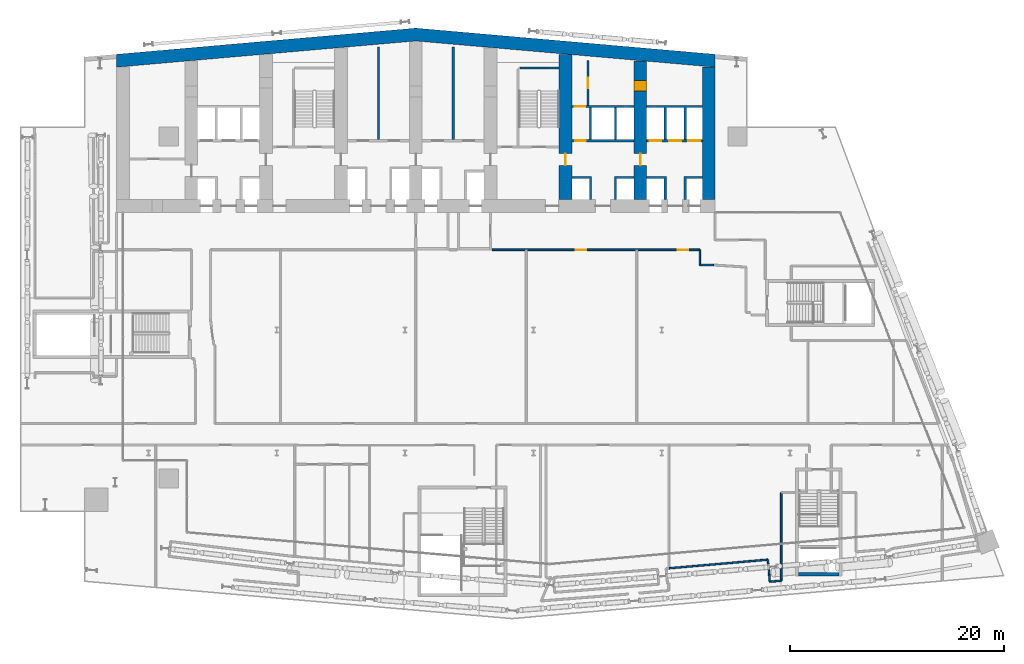
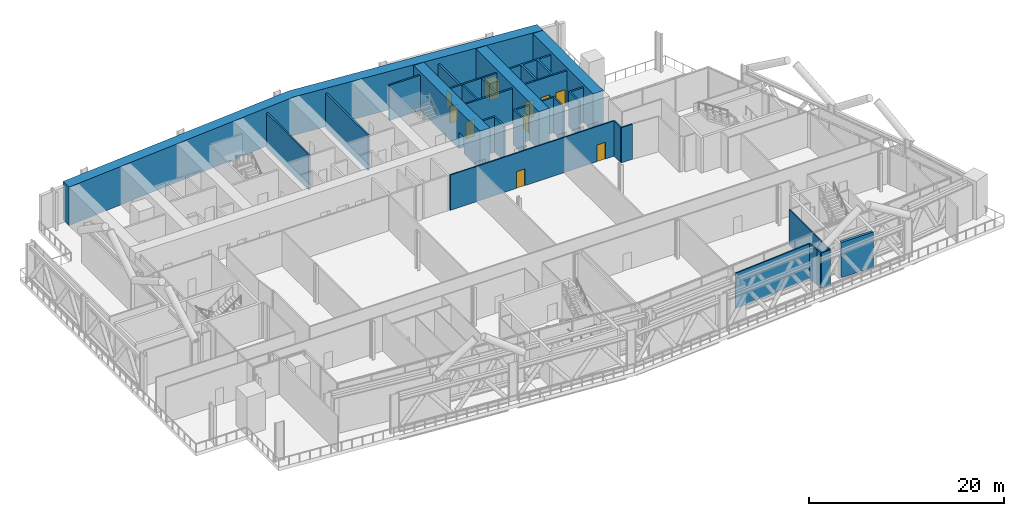
# One storey, part 21 of 39: 27 walls, 11 doors, 11 openings.
"""IFC4 building model written with IfcOpenShell, lengths in metres."""

from ifc_helpers import new_model, si_unit, direction, frame, frame_2d, origin, place, context, subcontext, project, spatial, polyline, rectangle, outline, extrude, material, layer, layer_set, type_object, element, fill, save


model = new_model("IFC4")

# Units and contexts
model_context = context("Model", 3, precision=1e-05, world=origin(), true_north=direction((0.0, 1.0)))
body_context = subcontext(model_context, "Body", "Model", "MODEL_VIEW")
ifc_project = project(units=[si_unit("LENGTHUNIT", "METRE"), si_unit("AREAUNIT", "SQUARE_METRE"), si_unit("VOLUMEUNIT", "CUBIC_METRE"), si_unit("PLANEANGLEUNIT", "RADIAN"), si_unit("MASSUNIT", "GRAM", prefix="KILO")], contexts=[model_context])

# Site, building, storey
site_placement = place(None, origin())
site = spatial("IfcSite", under=ifc_project, at=site_placement, CompositionType="ELEMENT")
building_placement = place(site_placement, origin())
building = spatial("IfcBuilding", under=site, at=building_placement, Name="Wharfspan Tower", CompositionType="ELEMENT")
storey_placement = place(building_placement, frame((0.0, 0.0, 91.899902)))
storey = spatial("IfcBuildingStorey", under=building, at=storey_placement, Name="L20", CompositionType="ELEMENT", Elevation=91.899902)

# Walls
ifc_material_1 = material(Name="Calcium silicate masonry", Category="masonry")
ifc_layer_1 = layer(ifc_material_1, 0.199951)
ifc_layer_set_1 = layer_set([ifc_layer_1], Name="Calcium silicate masonry")
wall_type_1 = type_object("IfcWallType", Name="Core room wall 200", PredefinedType="PARTITIONING", material=ifc_layer_set_1)
for number, where, z_axis, x_axis, name in (
    (1, (33.5, 40.800049, 0.0), (0.0, 0.0, 1.0), (0.0, 1.0, 0.0), "sw:L20:RP3.1"),
    (2, (40.5, 40.800049, 0.0), (0.0, 0.0, 1.0), (0.0, 1.0, 0.0), "sw:L20:RP4.1"),
):
    element("IfcWall", number, at=place(storey_placement, frame(where, z_axis=z_axis, x_axis=x_axis)), inside=storey, type_object=wall_type_1, Name=name, PredefinedType="PARTITIONING", context=body_context, shape_type="SweptSolid", body=[
        extrude(rectangle(XDim=8.652588, YDim=0.199951, at=frame_2d((4.326172, 0.0))), origin(), (0.0, 0.0, 1.0), 4.400146),
    ])

# Wall, opening, door
wall_1_placement = place(storey_placement, frame((53.100098, 44.0, 0.0), z_axis=(0.0, 0.0, 1.0), x_axis=(0.0, 1.0, 0.0)))
wall_1 = element("IfcWall", 3, at=wall_1_placement, inside=storey, type_object=wall_type_1, Name="sw:L20:RP6.1", PredefinedType="PARTITIONING", context=body_context, shape_type="SweptSolid", body=[
    extrude(rectangle(XDim=4.227783, YDim=0.199951, at=frame_2d((2.11377, 0.0))), origin(), (0.0, 0.0, 1.0), 4.400146),
])
opening_1_placement = place(wall_1_placement, frame((1.614014, 0.0, 0.0)))
opening_1 = element("IfcOpeningElement", 4, at=opening_1_placement, cuts=wall_1, Name="Opening CD20.6P1", PredefinedType="OPENING", context=body_context, shape_type="SweptSolid", body=[
    extrude(rectangle(XDim=1.0, YDim=2.100098, at=frame_2d((0.5, 1.050049))), frame((0.0, 0.109863, 0.0), z_axis=(0.0, -1.0, 0.0), x_axis=(1.0, 0.0, 0.0)), (0.0, 0.0, 1.0), 0.219971),
])
ifc_material_2 = material(Name="Steel door leaf", Category="steel")
door_type_1 = type_object("IfcDoorType", Name="Core room door 1000x2100", OperationType="SINGLE_SWING_LEFT", PredefinedType="DOOR", material=ifc_material_2)
door_1_placement = place(opening_1_placement, origin())
door_1 = element("IfcDoor", 5, at=door_1_placement, inside=storey, type_object=door_type_1, Name="d:L20:6:rp1", OperationType="SINGLE_SWING_LEFT", OverallHeight=2.100098, OverallWidth=1.0, PredefinedType="DOOR", context=body_context, shape_type="SweptSolid", body=[
    extrude(rectangle(XDim=1.0, YDim=2.100098, at=frame_2d((0.5, 1.050049))), frame((0.0, 0.024902, 0.0), z_axis=(0.0, -1.0, 0.0), x_axis=(1.0, 0.0, 0.0)), (0.0, 0.0, 1.0), 0.050049),
])
fill(opening_1, door_1)

# Wall
ifc_material_3 = material(Name="Concrete C70/85", Category="concrete")
ifc_layer_2 = layer(ifc_material_3, 1.199951)
ifc_layer_set_2 = layer_set([ifc_layer_2], Name="Concrete C70/85")
wall_type_2 = type_object("IfcWallType", Name="Core wall 1200 C70/85", PredefinedType="SHEAR", material=ifc_layer_set_2)
wall_2_placement = place(storey_placement, origin())
element("IfcWall", 6, at=wall_2_placement, inside=storey, type_object=wall_type_2, Name="Core rear wall L20", PredefinedType="SHEAR", context=body_context, shape_type="SweptSolid", body=[
    extrude(outline(polyline([(9.0, 47.582764), (37.0, 50.032471), (65.0, 47.582764), (65.0, 48.787354), (37.0, 51.237061), (9.0, 48.787354), (9.0, 47.582764)])), origin(), (0.0, 0.0, 1.0), 4.800049),
])

# Wall, opening, door
wall_3_placement = place(storey_placement, frame((51.0, 35.199951, 0.0), z_axis=(0.0, 0.0, 1.0), x_axis=(0.0, 1.0, 0.0)))
wall_3 = element("IfcWall", 7, at=wall_3_placement, inside=storey, type_object=wall_type_2, Name="Core cross wall X6 L20", PredefinedType="SHEAR", context=body_context, shape_type="SweptSolid", body=[
    extrude(rectangle(XDim=13.555176, YDim=1.199951, at=frame_2d((6.777588, 0.0))), origin(), (0.0, 0.0, 1.0), 4.800049),
])
opening_2_placement = place(wall_3_placement, frame((3.199951, 0.0, 0.0)))
opening_2 = element("IfcOpeningElement", 8, at=opening_2_placement, cuts=wall_3, Name="Opening CC20.6", PredefinedType="OPENING", context=body_context, shape_type="SweptSolid", body=[
    extrude(rectangle(XDim=1.100098, YDim=2.100098, at=frame_2d((0.550049, 1.050049))), frame((0.0, 0.609863, 0.0), z_axis=(0.0, -1.0, 0.0), x_axis=(1.0, 0.0, 0.0)), (0.0, 0.0, 1.0), 1.219971),
])
door_type_2 = type_object("IfcDoorType", Name="Core corridor door 1100x2100", OperationType="SINGLE_SWING_LEFT", PredefinedType="DOOR", material=ifc_material_2)
door_2_placement = place(opening_2_placement, origin())
door_2 = element("IfcDoor", 9, at=door_2_placement, inside=storey, type_object=door_type_2, Name="xd:L20:6", OperationType="SINGLE_SWING_RIGHT", OverallHeight=2.100098, OverallWidth=1.100098, PredefinedType="DOOR", context=body_context, shape_type="SweptSolid", body=[
    extrude(rectangle(XDim=1.100098, YDim=2.100098, at=frame_2d((0.550049, 1.050049))), frame((0.0, 0.024902, 0.0), z_axis=(0.0, -1.0, 0.0), x_axis=(1.0, 0.0, 0.0)), (0.0, 0.0, 1.0), 0.050049),
])
fill(opening_2, door_2)

# Wall, openings, doors
wall_4_placement = place(storey_placement, frame((58.0, 35.199951, 0.0), z_axis=(0.0, 0.0, 1.0), x_axis=(0.0, 1.0, 0.0)))
wall_4 = element("IfcWall", 10, at=wall_4_placement, inside=storey, type_object=wall_type_2, Name="Core cross wall X7 L20", PredefinedType="SHEAR", context=body_context, shape_type="SweptSolid", body=[
    extrude(rectangle(XDim=12.942871, YDim=1.199951, at=frame_2d((6.471436, 0.0))), origin(), (0.0, 0.0, 1.0), 4.800049),
])
opening_3_placement = place(wall_4_placement, frame((10.133789, 0.0, 0.0)))
opening_3 = element("IfcOpeningElement", 11, at=opening_3_placement, cuts=wall_4, Name="Opening CD20.7X", PredefinedType="OPENING", context=body_context, shape_type="SweptSolid", body=[
    extrude(rectangle(XDim=1.0, YDim=2.100098, at=frame_2d((0.5, 1.050049))), frame((0.0, 0.609863, 0.0), z_axis=(0.0, -1.0, 0.0), x_axis=(1.0, 0.0, 0.0)), (0.0, 0.0, 1.0), 1.219971),
])
opening_4_placement = place(wall_4_placement, frame((3.199951, 0.0, 0.0)))
opening_4 = element("IfcOpeningElement", 12, at=opening_4_placement, cuts=wall_4, Name="Opening CC20.7", PredefinedType="OPENING", context=body_context, shape_type="SweptSolid", body=[
    extrude(rectangle(XDim=1.100098, YDim=2.100098, at=frame_2d((0.550049, 1.050049))), frame((0.0, 0.609863, 0.0), z_axis=(0.0, -1.0, 0.0), x_axis=(1.0, 0.0, 0.0)), (0.0, 0.0, 1.0), 1.219971),
])
door_3_placement = place(opening_4_placement, origin())
door_3 = element("IfcDoor", 13, at=door_3_placement, inside=storey, type_object=door_type_2, Name="xd:L20:7", OperationType="SINGLE_SWING_LEFT", OverallHeight=2.100098, OverallWidth=1.100098, PredefinedType="DOOR", context=body_context, shape_type="SweptSolid", body=[
    extrude(rectangle(XDim=1.100098, YDim=2.100098, at=frame_2d((0.550049, 1.050049))), frame((0.0, 0.024902, 0.0), z_axis=(0.0, -1.0, 0.0), x_axis=(1.0, 0.0, 0.0)), (0.0, 0.0, 1.0), 0.050049),
])
fill(opening_4, door_3)
door_4_placement = place(opening_3_placement, origin())
door_4 = element("IfcDoor", 14, at=door_4_placement, inside=storey, type_object=door_type_1, Name="d:L20:7:sx", OperationType="SINGLE_SWING_LEFT", OverallHeight=2.100098, OverallWidth=1.0, PredefinedType="DOOR", context=body_context, shape_type="SweptSolid", body=[
    extrude(rectangle(XDim=1.0, YDim=2.100098, at=frame_2d((0.5, 1.050049))), frame((0.0, 0.599609, 0.0), z_axis=(0.0, -1.0, 0.0), x_axis=(1.0, 0.0, 0.0)), (0.0, 0.0, 1.0), 1.199463),
])
fill(opening_3, door_4)

# Wall
wall_5_placement = place(storey_placement, frame((64.399902, 35.199951, 0.0), z_axis=(0.0, 0.0, 1.0), x_axis=(0.0, 1.0, 0.0)))
element("IfcWall", 15, at=wall_5_placement, inside=storey, type_object=wall_type_2, Name="Core cross wall EW1 L20", PredefinedType="SHEAR", context=body_context, shape_type="SweptSolid", body=[
    extrude(rectangle(XDim=12.382812, YDim=1.199951, at=frame_2d((6.191406, 0.0))), origin(), (0.0, 0.0, 1.0), 4.800049),
])

# Wall, opening, door
ifc_material_4 = material(Name="Concrete C30/37", Category="concrete")
ifc_layer_3 = layer(ifc_material_4, 0.199951)
ifc_layer_set_3 = layer_set([ifc_layer_3], Name="Concrete C30/37")
wall_type_3 = type_object("IfcWallType", Name="Lift shaft wall 200", PredefinedType="PARTITIONING", material=ifc_layer_set_3)
wall_6_placement = place(storey_placement, frame((51.600098, 40.699951, 0.0), z_axis=(0.0, 0.0, 1.0), x_axis=(1.0, 0.0, 0.0)))
wall_6 = element("IfcWall", 16, at=wall_6_placement, inside=storey, type_object=wall_type_3, Name="sw:L20:RF6", PredefinedType="PARTITIONING", context=body_context, shape_type="SweptSolid", body=[
    extrude(rectangle(XDim=5.799805, YDim=0.199951, at=frame_2d((2.899902, 0.0))), origin(), (0.0, 0.0, 1.0), 4.400146),
])
opening_5_placement = place(wall_6_placement, frame((0.31665, 0.0, 0.0)))
opening_5 = element("IfcOpeningElement", 17, at=opening_5_placement, cuts=wall_6, Name="Opening CD20.6R1", PredefinedType="OPENING", context=body_context, shape_type="SweptSolid", body=[
    extrude(rectangle(XDim=1.0, YDim=2.100098, at=frame_2d((0.5, 1.050049))), frame((0.0, 0.109863, 0.0), z_axis=(0.0, -1.0, 0.0), x_axis=(1.0, 0.0, 0.0)), (0.0, 0.0, 1.0), 0.219971),
])
door_5_placement = place(opening_5_placement, origin())
door_5 = element("IfcDoor", 18, at=door_5_placement, inside=storey, type_object=door_type_1, Name="d:L20:6:rd6.1", OperationType="SINGLE_SWING_RIGHT", OverallHeight=2.100098, OverallWidth=1.0, PredefinedType="DOOR", context=body_context, shape_type="SweptSolid", body=[
    extrude(rectangle(XDim=1.0, YDim=2.100098, at=frame_2d((0.5, 1.050049))), frame((0.0, 0.024902, 0.0), z_axis=(0.0, -1.0, 0.0), x_axis=(1.0, 0.0, 0.0)), (0.0, 0.0, 1.0), 0.050049),
])
fill(opening_5, door_5)

wall_7_placement = place(storey_placement, frame((51.600098, 43.899902, 0.0), z_axis=(0.0, 0.0, 1.0), x_axis=(1.0, 0.0, 0.0)))
wall_7 = element("IfcWall", 19, at=wall_7_placement, inside=storey, type_object=wall_type_3, Name="sw:L20:RR6", PredefinedType="PARTITIONING", context=body_context, shape_type="SweptSolid", body=[
    extrude(rectangle(XDim=5.799805, YDim=0.199951, at=frame_2d((2.899902, 0.0))), origin(), (0.0, 0.0, 1.0), 4.400146),
])
opening_6_placement = place(wall_7_placement, frame((0.25, 0.0, 0.0)))
opening_6 = element("IfcOpeningElement", 20, at=opening_6_placement, cuts=wall_7, Name="Opening CD20.6S1", PredefinedType="OPENING", context=body_context, shape_type="SweptSolid", body=[
    extrude(rectangle(XDim=1.0, YDim=2.100098, at=frame_2d((0.5, 1.050049))), frame((0.0, 0.109863, 0.0), z_axis=(0.0, -1.0, 0.0), x_axis=(1.0, 0.0, 0.0)), (0.0, 0.0, 1.0), 0.219971),
])
door_6_placement = place(opening_6_placement, origin())
door_6 = element("IfcDoor", 21, at=door_6_placement, inside=storey, type_object=door_type_1, Name="d:L20:6:rs6.1", OperationType="SINGLE_SWING_LEFT", OverallHeight=2.100098, OverallWidth=1.0, PredefinedType="DOOR", context=body_context, shape_type="SweptSolid", body=[
    extrude(rectangle(XDim=1.0, YDim=2.100098, at=frame_2d((0.5, 1.050049))), frame((0.0, 0.024902, 0.0), z_axis=(0.0, -1.0, 0.0), x_axis=(1.0, 0.0, 0.0)), (0.0, 0.0, 1.0), 0.050049),
])
fill(opening_6, door_6)

# Walls
wall_8_placement = place(storey_placement, origin())
element("IfcWall", 22, at=wall_8_placement, inside=storey, type_object=wall_type_3, Name="sw:L20:FM6.0", PredefinedType="PARTITIONING", context=body_context, shape_type="SweptSolid", body=[
    extrude(outline(polyline([(53.233398, 37.149902), (51.600098, 37.149902), (51.600098, 37.350098), (53.233398, 37.350098), (53.43335, 37.350098), (53.43335, 35.199951), (53.233398, 35.199951), (53.233398, 37.149902)])), origin(), (0.0, 0.0, 1.0), 4.400146),
])
wall_9_placement = place(storey_placement, origin())
element("IfcWall", 23, at=wall_9_placement, inside=storey, type_object=wall_type_3, Name="sw:L20:FM6.1", PredefinedType="PARTITIONING", context=body_context, shape_type="SweptSolid", body=[
    extrude(outline(polyline([(55.56665, 37.350098), (55.766602, 37.350098), (57.399902, 37.350098), (57.399902, 37.149902), (55.766602, 37.149902), (55.766602, 35.199951), (55.56665, 35.199951), (55.56665, 37.350098)])), origin(), (0.0, 0.0, 1.0), 4.400146),
])
wall_10_placement = place(storey_placement, origin())
element("IfcWall", 24, at=wall_10_placement, inside=storey, type_object=wall_type_3, Name="sw:L20:RM6.0", PredefinedType="PARTITIONING", context=body_context, shape_type="SweptSolid", body=[
    extrude(outline(polyline([(53.233398, 40.800049), (53.233398, 43.800049), (53.43335, 43.800049), (53.43335, 40.800049), (53.233398, 40.800049)])), origin(), (0.0, 0.0, 1.0), 4.400146),
])
wall_11_placement = place(storey_placement, origin())
element("IfcWall", 25, at=wall_11_placement, inside=storey, type_object=wall_type_3, Name="sw:L20:RM6.1", PredefinedType="PARTITIONING", context=body_context, shape_type="SweptSolid", body=[
    extrude(outline(polyline([(55.56665, 40.800049), (55.56665, 43.800049), (55.766602, 43.800049), (55.766602, 40.800049), (55.56665, 40.800049)])), origin(), (0.0, 0.0, 1.0), 4.400146),
])

# Wall, openings, doors
wall_12_placement = place(storey_placement, frame((58.600098, 40.699951, 0.0), z_axis=(0.0, 0.0, 1.0), x_axis=(1.0, 0.0, 0.0)))
wall_12 = element("IfcWall", 26, at=wall_12_placement, inside=storey, type_object=wall_type_3, Name="sw:L20:RF7", PredefinedType="PARTITIONING", context=body_context, shape_type="SweptSolid", body=[
    extrude(rectangle(XDim=5.199951, YDim=0.199951, at=frame_2d((2.600098, 0.0))), origin(), (0.0, 0.0, 1.0), 4.400146),
])
opening_7_placement = place(wall_12_placement, frame((0.266602, 0.0, 0.0)))
opening_7 = element("IfcOpeningElement", 27, at=opening_7_placement, cuts=wall_12, Name="Opening LD.LA8.L20", PredefinedType="OPENING", context=body_context, shape_type="SweptSolid", body=[
    extrude(rectangle(XDim=1.100098, YDim=2.100098, at=frame_2d((0.550049, 1.050049))), frame((0.0, 0.109863, 0.0), z_axis=(0.0, -1.0, 0.0), x_axis=(1.0, 0.0, 0.0)), (0.0, 0.0, 1.0), 0.219971),
])
opening_8_placement = place(wall_12_placement, frame((2.116699, 0.0, 0.0)))
opening_8 = element("IfcOpeningElement", 28, at=opening_8_placement, cuts=wall_12, Name="Opening LD.LA9.L20", PredefinedType="OPENING", context=body_context, shape_type="SweptSolid", body=[
    extrude(rectangle(XDim=1.100098, YDim=2.100098, at=frame_2d((0.550049, 1.050049))), frame((0.0, 0.109863, 0.0), z_axis=(0.0, -1.0, 0.0), x_axis=(1.0, 0.0, 0.0)), (0.0, 0.0, 1.0), 0.219971),
])
opening_9_placement = place(wall_12_placement, frame((3.899902, 0.0, 0.0)))
opening_9 = element("IfcOpeningElement", 29, at=opening_9_placement, cuts=wall_12, Name="Opening LD.LA10.L20", PredefinedType="OPENING", context=body_context, shape_type="SweptSolid", body=[
    extrude(rectangle(XDim=1.100098, YDim=2.100098, at=frame_2d((0.550049, 1.050049))), frame((0.0, 0.109863, 0.0), z_axis=(0.0, -1.0, 0.0), x_axis=(1.0, 0.0, 0.0)), (0.0, 0.0, 1.0), 0.219971),
])
ifc_material_5 = material(Name="Stainless steel", Category="steel")
door_type_3 = type_object("IfcDoorType", Name="Lift landing door 1100x2100", OperationType="DOUBLE_DOOR_SLIDING", PredefinedType="DOOR", material=ifc_material_5)
door_7_placement = place(opening_7_placement, origin())
door_7 = element("IfcDoor", 30, at=door_7_placement, inside=storey, type_object=door_type_3, Name="Landing door LA8 L20", OperationType="DOUBLE_DOOR_SLIDING", OverallHeight=2.100098, OverallWidth=1.100098, PredefinedType="DOOR", context=body_context, shape_type="SweptSolid", body=[
    extrude(rectangle(XDim=1.100098, YDim=2.100098, at=frame_2d((0.550049, 1.050049))), frame((0.0, 0.024902, 0.0), z_axis=(0.0, -1.0, 0.0), x_axis=(1.0, 0.0, 0.0)), (0.0, 0.0, 1.0), 0.050049),
])
fill(opening_7, door_7)
door_8_placement = place(opening_8_placement, origin())
door_8 = element("IfcDoor", 31, at=door_8_placement, inside=storey, type_object=door_type_3, Name="Landing door LA9 L20", OperationType="DOUBLE_DOOR_SLIDING", OverallHeight=2.100098, OverallWidth=1.100098, PredefinedType="DOOR", context=body_context, shape_type="SweptSolid", body=[
    extrude(rectangle(XDim=1.100098, YDim=2.100098, at=frame_2d((0.550049, 1.050049))), frame((0.0, 0.024902, 0.0), z_axis=(0.0, -1.0, 0.0), x_axis=(1.0, 0.0, 0.0)), (0.0, 0.0, 1.0), 0.050049),
])
fill(opening_8, door_8)
door_9_placement = place(opening_9_placement, origin())
door_9 = element("IfcDoor", 32, at=door_9_placement, inside=storey, type_object=door_type_3, Name="Landing door LA10 L20", OperationType="DOUBLE_DOOR_SLIDING", OverallHeight=2.100098, OverallWidth=1.100098, PredefinedType="DOOR", context=body_context, shape_type="SweptSolid", body=[
    extrude(rectangle(XDim=1.100098, YDim=2.100098, at=frame_2d((0.550049, 1.050049))), frame((0.0, 0.024902, 0.0), z_axis=(0.0, -1.0, 0.0), x_axis=(1.0, 0.0, 0.0)), (0.0, 0.0, 1.0), 0.050049),
])
fill(opening_9, door_9)

# Walls
wall_13_placement = place(storey_placement, origin())
element("IfcWall", 33, at=wall_13_placement, inside=storey, type_object=wall_type_3, Name="sw:L20:FM7.0", PredefinedType="PARTITIONING", context=body_context, shape_type="SweptSolid", body=[
    extrude(outline(polyline([(60.233398, 37.149902), (58.600098, 37.149902), (58.600098, 37.350098), (60.233398, 37.350098), (60.43335, 37.350098), (60.43335, 35.199951), (60.233398, 35.199951), (60.233398, 37.149902)])), origin(), (0.0, 0.0, 1.0), 4.400146),
])
wall_14_placement = place(storey_placement, origin())
element("IfcWall", 34, at=wall_14_placement, inside=storey, type_object=wall_type_3, Name="sw:L20:FM7.1", PredefinedType="PARTITIONING", context=body_context, shape_type="SweptSolid", body=[
    extrude(outline(polyline([(62.100098, 37.350098), (62.300049, 37.350098), (63.800049, 37.350098), (63.800049, 37.149902), (62.300049, 37.149902), (62.300049, 35.199951), (62.100098, 35.199951), (62.100098, 37.350098)])), origin(), (0.0, 0.0, 1.0), 4.400146),
])
wall_15_placement = place(storey_placement, origin())
element("IfcWall", 35, at=wall_15_placement, inside=storey, type_object=wall_type_3, Name="sw:L20:RM7.0", PredefinedType="PARTITIONING", context=body_context, shape_type="SweptSolid", body=[
    extrude(outline(polyline([(60.43335, 40.800049), (60.233398, 40.800049), (60.233398, 43.800049), (58.600098, 43.800049), (58.600098, 44.0), (63.800049, 44.0), (63.800049, 43.800049), (62.300049, 43.800049), (62.300049, 40.800049), (62.100098, 40.800049), (62.100098, 43.800049), (60.43335, 43.800049), (60.43335, 40.800049)])), origin(), (0.0, 0.0, 1.0), 4.400146),
])
ifc_material_6 = material(Name="Gypsum board on steel studs", Category="steel")
ifc_layer_4 = layer(ifc_material_6, 0.149902)
ifc_layer_set_4 = layer_set([ifc_layer_4], Name="Gypsum board on steel studs")
wall_type_4 = type_object("IfcWallType", Name="Plant room wall 150 EI 120", PredefinedType="PARTITIONING", material=ifc_layer_set_4)
wall_16_placement = place(storey_placement, frame((60.669922, 0.705078, 0.0), z_axis=(0.0, 0.0, 1.0), x_axis=(0.996206, 0.087027, 0.0)))
element("IfcWall", 36, at=wall_16_placement, inside=storey, type_object=wall_type_4, Name="Partition L20.w088", PredefinedType="PARTITIONING", context=body_context, shape_type="SweptSolid", body=[
    extrude(rectangle(XDim=9.30542, YDim=0.149902, at=frame_2d((4.652832, 0.0))), origin(), (0.0, 0.0, 1.0), 4.400146),
])
wall_17_placement = place(storey_placement, frame((63.574951, 29.074951, 0.0), z_axis=(0.0, 0.0, 1.0), x_axis=(0.0, 1.0, 0.0)))
element("IfcWall", 37, at=wall_17_placement, inside=storey, type_object=wall_type_4, Name="Partition L20.w089", PredefinedType="PARTITIONING", context=body_context, shape_type="SweptSolid", body=[
    extrude(rectangle(XDim=1.425049, YDim=0.149902, at=frame_2d((0.712402, 0.0))), origin(), (0.0, 0.0, 1.0), 4.400146),
])
wall_18_placement = place(storey_placement, frame((63.574951, 29.074951, 0.0), z_axis=(0.0, 0.0, 1.0), x_axis=(1.0, 0.0, 0.0)))
element("IfcWall", 38, at=wall_18_placement, inside=storey, type_object=wall_type_4, Name="Partition L20.w090", PredefinedType="PARTITIONING", context=body_context, shape_type="SweptSolid", body=[
    extrude(rectangle(XDim=1.285156, YDim=0.149902, at=frame_2d((0.642578, 0.0))), origin(), (0.0, 0.0, 1.0), 4.400146),
])
wall_19_placement = place(storey_placement, frame((70.060059, 0.120117, 0.0), z_axis=(0.0, 0.0, 1.0), x_axis=(-0.085802, 0.996315, 0.0)))
element("IfcWall", 39, at=wall_19_placement, inside=storey, type_object=wall_type_4, Name="Partition L20.w098", PredefinedType="PARTITIONING", context=body_context, shape_type="SweptSolid", body=[
    extrude(rectangle(XDim=1.399902, YDim=0.149902, at=frame_2d((0.699951, 0.0))), origin(), (0.0, 0.0, 1.0), 4.400146),
])
wall_20_placement = place(storey_placement, frame((70.11499, -0.550049, 0.0), z_axis=(0.0, 0.0, 1.0), x_axis=(-0.081693, 0.996655, 0.0)))
element("IfcWall", 40, at=wall_20_placement, inside=storey, type_object=wall_type_4, Name="Partition L20.w099", PredefinedType="PARTITIONING", context=body_context, shape_type="SweptSolid", body=[
    extrude(rectangle(XDim=0.672363, YDim=0.149902, at=frame_2d((0.336182, 0.0))), origin(), (0.0, 0.0, 1.0), 4.400146),
])
wall_21_placement = place(storey_placement, frame((70.11499, -0.550049, 0.0), z_axis=(0.0, 0.0, 1.0), x_axis=(0.996119, 0.088006, 0.0)))
element("IfcWall", 41, at=wall_21_placement, inside=storey, type_object=wall_type_4, Name="Partition L20.w100", PredefinedType="PARTITIONING", context=body_context, shape_type="SweptSolid", body=[
    extrude(rectangle(XDim=1.079102, YDim=0.149902, at=frame_2d((0.539551, 0.0))), origin(), (0.0, 0.0, 1.0), 4.400146),
])
wall_22_placement = place(storey_placement, frame((71.189941, -0.455078, 0.0), z_axis=(0.0, 0.0, 1.0), x_axis=(0.0, 1.0, 0.0)))
element("IfcWall", 42, at=wall_22_placement, inside=storey, type_object=wall_type_4, Name="Partition L20.w101", PredefinedType="PARTITIONING", context=body_context, shape_type="SweptSolid", body=[
    extrude(rectangle(XDim=8.245117, YDim=0.149902, at=frame_2d((4.122559, 0.0))), origin(), (0.0, 0.0, 1.0), 4.400146),
])

# Wall, openings, doors
wall_23_placement = place(storey_placement, frame((44.149902, 30.5, 0.0), z_axis=(0.0, 0.0, 1.0), x_axis=(1.0, 0.0, 0.0)))
wall_23 = element("IfcWall", 43, at=wall_23_placement, inside=storey, type_object=wall_type_4, Name="Partition L20.w029 (3)", PredefinedType="PARTITIONING", context=body_context, shape_type="SweptSolid", body=[
    extrude(rectangle(XDim=19.425049, YDim=0.149902, at=frame_2d((9.712402, 0.0))), origin(), (0.0, 0.0, 1.0), 4.400146),
])
opening_10_placement = place(wall_23_placement, frame((7.804932, 0.0, 0.0)))
opening_10 = element("IfcOpeningElement", 44, at=opening_10_placement, cuts=wall_23, Name="Opening BA-20", PredefinedType="OPENING", context=body_context, shape_type="SweptSolid", body=[
    extrude(rectangle(XDim=1.0, YDim=2.100098, at=frame_2d((0.5, 1.050049))), frame((0.0, 0.084961, 0.0), z_axis=(0.0, -1.0, 0.0), x_axis=(1.0, 0.0, 0.0)), (0.0, 0.0, 1.0), 0.169922),
])
opening_11_placement = place(wall_23_placement, frame((17.340088, 0.0, 0.0)))
opening_11 = element("IfcOpeningElement", 45, at=opening_11_placement, cuts=wall_23, Name="Opening BA-21", PredefinedType="OPENING", context=body_context, shape_type="SweptSolid", body=[
    extrude(rectangle(XDim=1.0, YDim=2.100098, at=frame_2d((0.5, 1.050049))), frame((0.0, 0.084961, 0.0), z_axis=(0.0, -1.0, 0.0), x_axis=(1.0, 0.0, 0.0)), (0.0, 0.0, 1.0), 0.169922),
])
ifc_material_7 = material(Name="Fire-rated timber door leaf in steel frame", Category="steel")
door_type_4 = type_object("IfcDoorType", Name="Door 1000 FD60 Right", OperationType="SINGLE_SWING_RIGHT", PredefinedType="DOOR", material=ifc_material_7)
door_10_placement = place(opening_10_placement, origin())
door_10 = element("IfcDoor", 46, at=door_10_placement, inside=storey, type_object=door_type_4, Name="Door BA-20", OperationType="SINGLE_SWING_RIGHT", OverallHeight=2.100098, OverallWidth=1.0, PredefinedType="DOOR", context=body_context, shape_type="SweptSolid", body=[
    extrude(rectangle(XDim=1.0, YDim=2.100098, at=frame_2d((0.5, 1.050049))), frame((0.0, 0.024902, 0.0), z_axis=(0.0, -1.0, 0.0), x_axis=(1.0, 0.0, 0.0)), (0.0, 0.0, 1.0), 0.050049),
])
fill(opening_10, door_10)
door_11_placement = place(opening_11_placement, origin())
door_11 = element("IfcDoor", 47, at=door_11_placement, inside=storey, type_object=door_type_4, Name="Door BA-21", OperationType="SINGLE_SWING_RIGHT", OverallHeight=2.100098, OverallWidth=1.0, PredefinedType="DOOR", context=body_context, shape_type="SweptSolid", body=[
    extrude(rectangle(XDim=1.0, YDim=2.100098, at=frame_2d((0.5, 1.050049))), frame((0.0, 0.024902, 0.0), z_axis=(0.0, -1.0, 0.0), x_axis=(1.0, 0.0, 0.0)), (0.0, 0.0, 1.0), 0.050049),
])
fill(opening_11, door_11)

# Walls
ifc_material_8 = material(Name="Concrete C40/50", Category="concrete")
ifc_layer_5 = layer(ifc_material_8, 0.300049)
ifc_layer_set_5 = layer_set([ifc_layer_5], Name="Concrete C40/50")
wall_type_5 = type_object("IfcWallType", Name="Stair core wall 300", PredefinedType="SHEAR", material=ifc_layer_set_5)
wall_24_placement = place(storey_placement, frame((72.817383, 0.14209, 0.0), z_axis=(0.0, 0.0, 1.0), x_axis=(1.0, 0.0, 0.0)))
element("IfcWall", 48, at=wall_24_placement, inside=storey, type_object=wall_type_5, Name="ST5 stair enclosure wall L20", PredefinedType="SHEAR", context=body_context, shape_type="SweptSolid", body=[
    extrude(rectangle(XDim=3.773682, YDim=0.300049, at=frame_2d((1.886719, 0.0))), origin(), (0.0, 0.0, 1.0), 4.400146),
])
ifc_layer_6 = layer(ifc_material_8, 0.199951)
ifc_layer_set_6 = layer_set([ifc_layer_6], Name="Concrete C40/50")
wall_type_6 = type_object("IfcWallType", Name="Stair shaft wall 200", PredefinedType="SHEAR", material=ifc_layer_set_6)
wall_25_placement = place(storey_placement, frame((46.75, 47.5, 0.0), z_axis=(0.0, 0.0, 1.0), x_axis=(1.0, 0.0, 0.0)))
element("IfcWall", 49, at=wall_25_placement, inside=storey, type_object=wall_type_6, Name="ST2 stair enclosure wall L20", PredefinedType="SHEAR", context=body_context, shape_type="SweptSolid", body=[
    extrude(rectangle(XDim=3.649902, YDim=0.199951, at=frame_2d((1.824951, 0.0))), origin(), (0.0, 0.0, 1.0), 4.400146),
])

save(model, "model.ifc")
